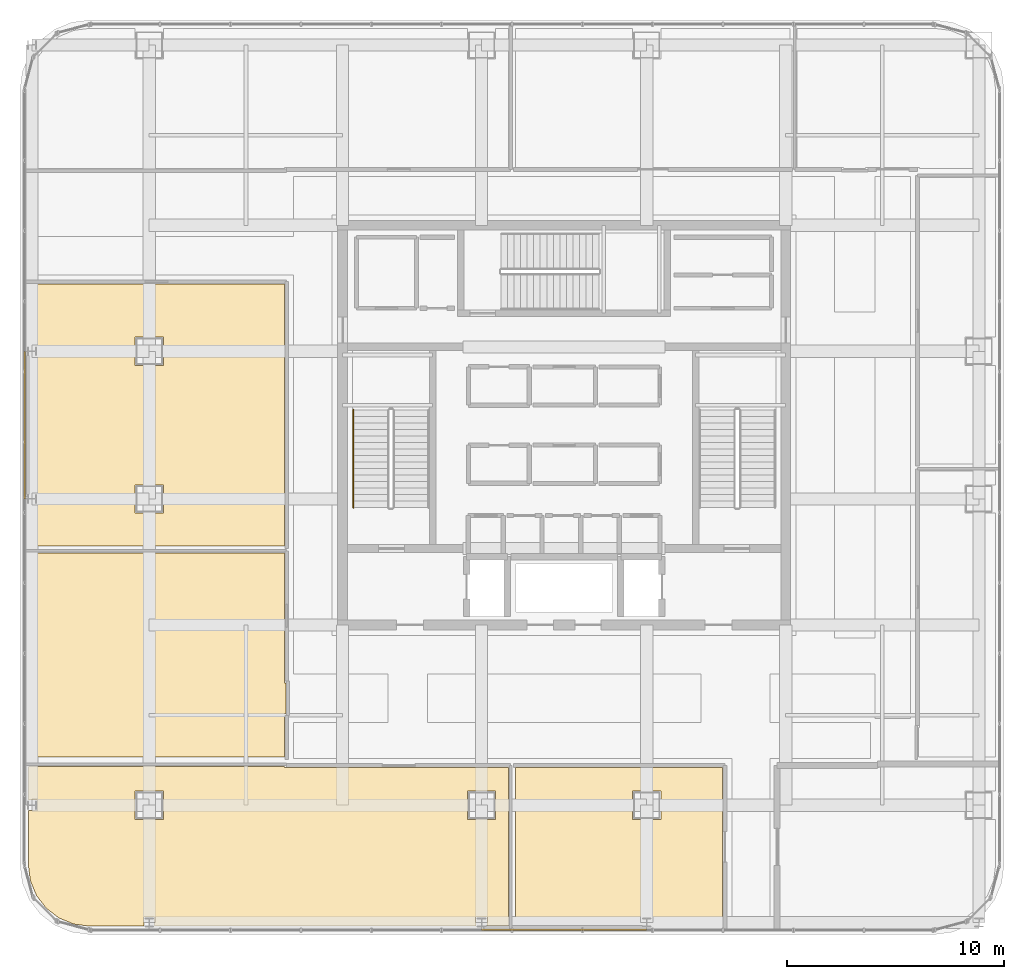
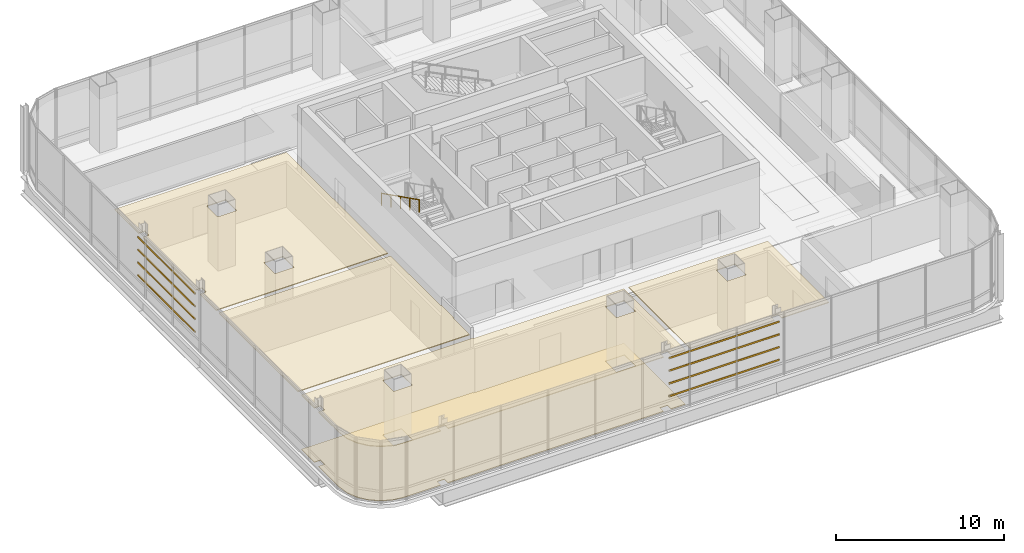
# One storey, part 40 of 45: 8 shading devices, 5 coverings, 1 railing.
"""IFC4 building model written with IfcOpenShell, lengths in metres."""

from ifc_helpers import new_model, si_unit, direction, frame, origin, origin_2d, place, context, subcontext, project, spatial, polyline, hollow_rectangle, circle, outline, extrude, material, layer, layer_set, material_profile, profile_set, type_object, element, save


model = new_model("IFC4")

# Units and contexts
model_context = context("Model", 3, precision=1e-05, world=origin(), true_north=direction((0.0, 1.0)))
body_context = subcontext(model_context, "Body", "Model", "MODEL_VIEW")
ifc_project = project(units=[si_unit("LENGTHUNIT", "METRE"), si_unit("AREAUNIT", "SQUARE_METRE"), si_unit("VOLUMEUNIT", "CUBIC_METRE"), si_unit("PLANEANGLEUNIT", "RADIAN"), si_unit("MASSUNIT", "GRAM", prefix="KILO")], contexts=[model_context])

# Site, building, storey
site_placement = place(None, origin())
site = spatial("IfcSite", under=ifc_project, at=site_placement, CompositionType="ELEMENT")
building_placement = place(site_placement, origin())
building = spatial("IfcBuilding", under=site, at=building_placement, Name="Punatoya Terracotta Tower", CompositionType="ELEMENT")
storey_placement = place(building_placement, frame((0.0, 0.0, 339.0)))
storey = spatial("IfcBuildingStorey", under=building, at=storey_placement, Name="L80", CompositionType="ELEMENT", Elevation=339.0)

# Coverings
ifc_material_1 = material(Name="Acoustic Mineral Fibre Ceiling")
ifc_layer_1 = layer(ifc_material_1, 0.06005859375)
ifc_layer_set_1 = layer_set([ifc_layer_1], Name="Acoustic Mineral Fibre Ceiling")
covering_type_1 = type_object("IfcCoveringType", Name="COV-CEIL-60", PredefinedType="CEILING", material=ifc_layer_set_1)
covering_1_placement = place(storey_placement, frame((0.0, 0.0, 3.929931640625)))
element("IfcCovering", 1, at=covering_1_placement, inside=storey, type_object=covering_type_1, Name="L80 Waterfront Observation Gallery Acoustic Ceiling", PredefinedType="CEILING", context=body_context, shape_type="SweptSolid", body=[
    extrude(outline(polyline([(-12.8701171875, -15.77001953125), (-12.8701171875, -15.7099609375), (-24.669921875, -15.7099609375), (-24.669921875, -17.25048828125), (-24.24951171875, -17.25048828125), (-24.24951171875, -17.74951171875), (-24.669921875, -17.74951171875), (-24.669921875, -20.22509765625), (-24.57080078125, -20.97900390625), (-24.289306640625, -21.658203125), (-23.841796875, -22.24169921875), (-23.25830078125, -22.689453125), (-22.5791015625, -22.970703125), (-21.8251953125, -23.070068359375), (-19.3505859375, -23.070068359375), (-19.3505859375, -22.650390625), (-18.849609375, -22.650390625), (-18.849609375, -23.070068359375), (-4.050537109375, -23.070068359375), (-4.050537109375, -22.650390625), (-3.549560546875, -22.650390625), (-3.549560546875, -23.070068359375), (-2.56005859375, -23.070068359375), (-2.56005859375, -15.77001953125), (-12.8701171875, -15.77001953125)]), holes=[polyline([(-4.449951171875, -16.85009765625), (-3.14990234375, -16.85009765625), (-3.14990234375, -18.14990234375), (-4.449951171875, -18.14990234375), (-4.449951171875, -16.85009765625)]), polyline([(-19.75, -18.14990234375), (-19.75, -16.85009765625), (-18.449951171875, -16.85009765625), (-18.449951171875, -18.14990234375), (-19.75, -18.14990234375)])]), origin(), (0.0, 0.0, 1.0), 0.06005859375),
])
covering_2_placement = place(storey_placement, frame((0.0, 0.0, 3.929931640625)))
element("IfcCovering", 2, at=covering_2_placement, inside=storey, type_object=covering_type_1, Name="L80 Open-Plan Heritage Collections Curatorial Study Acoustic Ceiling", PredefinedType="CEILING", context=body_context, shape_type="SweptSolid", body=[
    extrude(outline(polyline([(3.549560546875, -22.650390625), (4.050537109375, -22.650390625), (4.050537109375, -23.070068359375), (7.300048828125, -23.070068359375), (7.300048828125, -15.77001953125), (-2.239990234375, -15.77001953125), (-2.239990234375, -23.070068359375), (3.549560546875, -23.070068359375), (3.549560546875, -22.650390625)]), holes=[polyline([(4.449951171875, -16.85009765625), (4.449951171875, -18.14990234375), (3.14990234375, -18.14990234375), (3.14990234375, -16.85009765625), (4.449951171875, -16.85009765625)])]), origin(), (0.0, 0.0, 1.0), 0.06005859375),
])
covering_3_placement = place(storey_placement, frame((0.0, 0.0, 3.929931640625)))
element("IfcCovering", 3, at=covering_3_placement, inside=storey, type_object=covering_type_1, Name="L80 Panoramic Photography Studio Acoustic Ceiling", PredefinedType="CEILING", context=body_context, shape_type="SweptSolid", body=[
    extrude(outline(polyline([(-12.8701171875, -13.280029296875), (-12.81005859375, -13.280029296875), (-12.81005859375, -11.8701171875), (-12.8701171875, -11.8701171875), (-12.8701171875, -5.889892578125), (-24.669921875, -5.889892578125), (-24.669921875, -15.2900390625), (-12.8701171875, -15.2900390625), (-12.8701171875, -13.280029296875)])), origin(), (0.0, 0.0, 1.0), 0.06005859375),
])
covering_4_placement = place(storey_placement, frame((0.0, 0.0, 3.929931640625)))
element("IfcCovering", 4, at=covering_4_placement, inside=storey, type_object=covering_type_1, Name="L80 Open-Plan Digital Cartography Studio Acoustic Ceiling", PredefinedType="CEILING", context=body_context, shape_type="SweptSolid", body=[
    extrude(outline(polyline([(-24.669921875, -3.6494140625), (-24.669921875, -5.570068359375), (-12.8701171875, -5.570068359375), (-12.8701171875, 6.5), (-24.669921875, 6.5), (-24.669921875, 3.6494140625), (-24.24951171875, 3.6494140625), (-24.24951171875, 3.150390625), (-24.669921875, 3.150390625), (-24.669921875, -3.150390625), (-24.24951171875, -3.150390625), (-24.24951171875, -3.6494140625), (-24.669921875, -3.6494140625)]), holes=[polyline([(-18.449951171875, -4.050048828125), (-19.75, -4.050048828125), (-19.75, -2.75), (-18.449951171875, -2.75), (-18.449951171875, -4.050048828125)]), polyline([(-18.449951171875, 4.050048828125), (-18.449951171875, 2.75), (-19.75, 2.75), (-19.75, 4.050048828125), (-18.449951171875, 4.050048828125)])]), origin(), (0.0, 0.0, 1.0), 0.06005859375),
])
ifc_material_2 = material(Name="Sandstone & Raised Access Flooring", Category="masonry")
ifc_layer_2 = layer(ifc_material_2, 0.080078125)
ifc_layer_set_2 = layer_set([ifc_layer_2], Name="Sandstone & Raised Access Flooring")
covering_type_2 = type_object("IfcCoveringType", Name="COV-FLR-80", PredefinedType="FLOORING", material=ifc_layer_set_2)
covering_5_placement = place(storey_placement, origin())
element("IfcCovering", 5, at=covering_5_placement, inside=storey, type_object=covering_type_2, Name="L80 Waterfront Observation Gallery Stone Floor Finish", PredefinedType="FLOORING", context=body_context, shape_type="SweptSolid", body=[
    extrude(outline(polyline([(-12.8701171875, -15.77001953125), (-12.8701171875, -15.7099609375), (-24.669921875, -15.7099609375), (-24.669921875, -17.25048828125), (-24.24951171875, -17.25048828125), (-24.24951171875, -17.74951171875), (-24.669921875, -17.74951171875), (-24.669921875, -20.22509765625), (-24.57080078125, -20.97900390625), (-24.289306640625, -21.658203125), (-23.841796875, -22.24169921875), (-23.25830078125, -22.689453125), (-22.5791015625, -22.970703125), (-21.8251953125, -23.070068359375), (-19.3505859375, -23.070068359375), (-19.3505859375, -22.650390625), (-18.849609375, -22.650390625), (-18.849609375, -23.070068359375), (-4.050537109375, -23.070068359375), (-4.050537109375, -22.650390625), (-3.549560546875, -22.650390625), (-3.549560546875, -23.070068359375), (-2.56005859375, -23.070068359375), (-2.56005859375, -15.77001953125), (-12.8701171875, -15.77001953125)]), holes=[polyline([(-4.449951171875, -16.85009765625), (-3.14990234375, -16.85009765625), (-3.14990234375, -18.14990234375), (-4.449951171875, -18.14990234375), (-4.449951171875, -16.85009765625)]), polyline([(-19.75, -18.14990234375), (-19.75, -16.85009765625), (-18.449951171875, -16.85009765625), (-18.449951171875, -18.14990234375), (-19.75, -18.14990234375)])]), origin(), (0.0, 0.0, 1.0), 0.0400390625),
])

# Railing
ifc_material_3 = material(Name="Steel S355", Category="steel")
railing_type = type_object("IfcRailingType", Name="RLG-HND-900", PredefinedType="HANDRAIL", material=ifc_material_3)
railing_placement = place(storey_placement, frame((-9.699951171875, 0.699951171875, 2.550048828125)))
element("IfcRailing", 6, at=railing_placement, inside=storey, type_object=railing_type, Name="L80 ST-1 stair handrail 2", PredefinedType="HANDRAIL", context=body_context, shape_type="SweptSolid", body=[
    extrude(circle(Radius=0.02392578125, at=origin_2d()), frame((0.0, 0.0, 0.8759765625), z_axis=(0.0, -0.894427191, 0.4472135955), x_axis=(1.0, 0.0, 0.0)), (0.0, 0.0, 1.0), 5.03125),
    extrude(circle(Radius=0.02099609375, at=origin_2d()), origin(), (0.0, 0.0, 1.0), 0.851806640625),
    extrude(circle(Radius=0.02099609375, at=origin_2d()), frame((0.0, -1.125, 0.5625)), (0.0, 0.0, 1.0), 0.851806640625),
    extrude(circle(Radius=0.02099609375, at=origin_2d()), frame((0.0, -2.25, 1.125)), (0.0, 0.0, 1.0), 0.851806640625),
    extrude(circle(Radius=0.02099609375, at=origin_2d()), frame((0.0, -3.375, 1.6875)), (0.0, 0.0, 1.0), 0.851806640625),
    extrude(circle(Radius=0.02099609375, at=origin_2d()), frame((0.0, -4.5, 2.25)), (0.0, 0.0, 1.0), 0.851806640625),
])

# Shading devices
ifc_material_4 = material(Name="Architectural Fired Terracotta", Category="masonry")
ifc_material_profile = material_profile(ifc_material_4, hollow_rectangle(XDim=0.06494140625, YDim=0.1201171875, WallThickness=0.014892578125, at=origin_2d()))
ifc_profile_set = profile_set([ifc_material_profile], Name="Architectural Fired Terracotta")
shading_device_type = type_object("IfcShadingDeviceType", Name="SHD-BAG-120", PredefinedType="USERDEFINED", material=ifc_profile_set)
for number, where, z_axis, x_axis, name in (
    (7, (-3.800048828125, -23.239501953125, 1.14990234375), (1.0, 0.0, 0.0), (0.0, 1.0, 0.0), "L80 Fired Terracotta Baguette Louvre BAG-L80-S-01"),
    (8, (-3.800048828125, -23.239501953125, 2.0732421875), (1.0, 0.0, 0.0), (0.0, 1.0, 0.0), "L80 Fired Terracotta Baguette Louvre BAG-L80-S-02"),
    (9, (-3.800048828125, -23.239501953125, 2.99658203125), (1.0, 0.0, 0.0), (0.0, 1.0, 0.0), "L80 Fired Terracotta Baguette Louvre BAG-L80-S-03"),
    (10, (-3.800048828125, -23.239501953125, 3.919921875), (1.0, 0.0, 0.0), (0.0, 1.0, 0.0), "L80 Fired Terracotta Baguette Louvre BAG-L80-S-04"),
):
    element("IfcShadingDevice", number, at=place(storey_placement, frame(where, z_axis=z_axis, x_axis=x_axis)), inside=storey, type_object=shading_device_type, Name=name, ObjectType="BAGUETTE", PredefinedType="USERDEFINED", context=body_context, shape_type="SweptSolid", body=[
        extrude(hollow_rectangle(XDim=0.06494140625, YDim=0.1201171875, WallThickness=0.014892578125, at=origin_2d()), origin(), (0.0, 0.0, 1.0), 7.60009765625),
    ])
for number, where, z_axis, x_axis, name in (
    (11, (-24.839599609375, -3.39990234375, 1.14990234375), (0.0, 1.0, 0.0), (-1.0, 0.0, 0.0), "L80 Fired Terracotta Baguette Louvre BAG-L80-W-01"),
    (12, (-24.839599609375, -3.39990234375, 2.0732421875), (0.0, 1.0, 0.0), (-1.0, 0.0, 0.0), "L80 Fired Terracotta Baguette Louvre BAG-L80-W-02"),
    (13, (-24.839599609375, -3.39990234375, 2.99658203125), (0.0, 1.0, 0.0), (-1.0, 0.0, 0.0), "L80 Fired Terracotta Baguette Louvre BAG-L80-W-03"),
    (14, (-24.839599609375, -3.39990234375, 3.919921875), (0.0, 1.0, 0.0), (-1.0, 0.0, 0.0), "L80 Fired Terracotta Baguette Louvre BAG-L80-W-04"),
):
    element("IfcShadingDevice", number, at=place(storey_placement, frame(where, z_axis=z_axis, x_axis=x_axis)), inside=storey, type_object=shading_device_type, Name=name, ObjectType="BAGUETTE", PredefinedType="USERDEFINED", context=body_context, shape_type="SweptSolid", body=[
        extrude(hollow_rectangle(XDim=0.06494140625, YDim=0.1201171875, WallThickness=0.014892578125, at=origin_2d()), origin(), (0.0, 0.0, 1.0), 6.7998046875),
    ])

save(model, "model.ifc")
